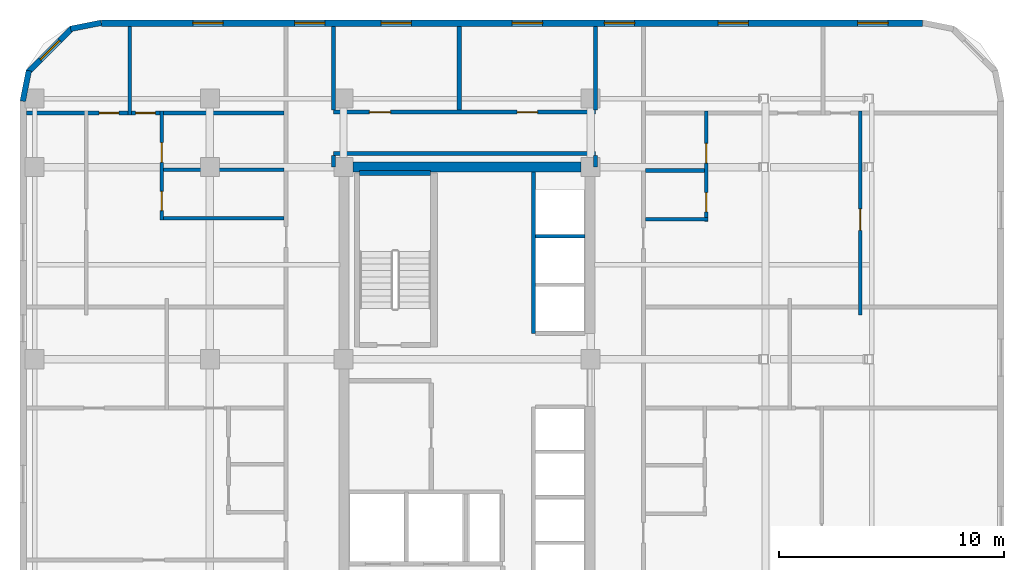
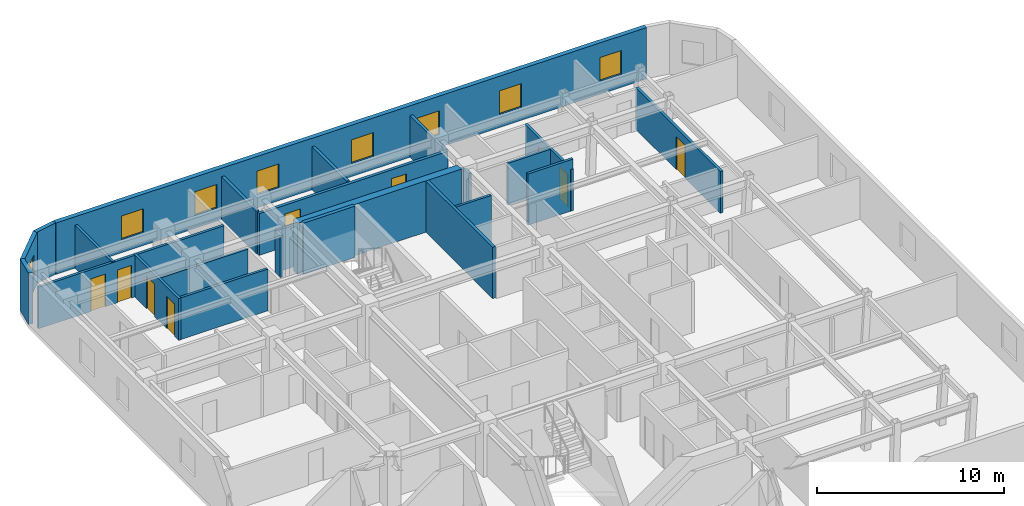
# One storey, part 7 of 9: 24 walls, 9 doors, 8 windows, 17 openings.
"""IFC4 building model written with IfcOpenShell, lengths in metres."""

from ifc_helpers import new_model, si_unit, direction, frame, frame_2d, origin, place, context, subcontext, project, spatial, rectangle, extrude, material, layer, layer_set, type_object, element, fill, save


model = new_model("IFC4")

# Units and contexts
model_context = context("Model", 3, precision=1e-05, world=origin(), true_north=direction((0.0, 1.0)))
body_context = subcontext(model_context, "Body", "Model", "MODEL_VIEW")
ifc_project = project(units=[si_unit("LENGTHUNIT", "METRE"), si_unit("AREAUNIT", "SQUARE_METRE"), si_unit("VOLUMEUNIT", "CUBIC_METRE"), si_unit("PLANEANGLEUNIT", "RADIAN"), si_unit("MASSUNIT", "GRAM", prefix="KILO")], contexts=[model_context])

# Site, building, storey
site_placement = place(None, origin())
site = spatial("IfcSite", under=ifc_project, at=site_placement, CompositionType="ELEMENT")
building_placement = place(site_placement, origin())
building = spatial("IfcBuilding", under=site, at=building_placement, Name="Ochreholt Gables", CompositionType="ELEMENT")
storey_placement = place(building_placement, frame((0.0, 0.0, 84.0)))
storey = spatial("IfcBuildingStorey", under=building, at=storey_placement, Name="L21", CompositionType="ELEMENT", Elevation=84.0)

# Wall
ifc_material_1 = material(Name="Concrete 60 MPa", Category="concrete")
ifc_layer_1 = layer(ifc_material_1, 0.449951171875, Name="Concrete 60 MPa")
ifc_layer_set_1 = layer_set([ifc_layer_1], Name="Concrete 60 MPa")
wall_type_1 = type_object("IfcWallType", Name="WALL-CSW-450", PredefinedType="SHEAR", material=ifc_layer_set_1)
wall_1_placement = place(storey_placement, frame((24.625, 38.75, 0.0), z_axis=(0.0, 0.0, 1.0), x_axis=(1.0, 0.0, 0.0)))
element("IfcWall", 1, at=wall_1_placement, inside=storey, type_object=wall_type_1, Name="L21 Core North Shear Wall", PredefinedType="SHEAR", context=body_context, shape_type="SweptSolid", body=[
    extrude(rectangle(XDim=10.14990234375, YDim=0.449951171875, at=frame_2d((5.074951171875, 0.0))), origin(), (0.0, 0.0, 1.0), 3.360107421875),
])

# Wall, openings, windows
ifc_material_2 = material(Name="Precast concrete 40 MPa", Category="concrete")
ifc_layer_2 = layer(ifc_material_2, 0.280029296875, Name="Precast concrete 40 MPa")
ifc_layer_set_2 = layer_set([ifc_layer_2], Name="Precast concrete 40 MPa")
wall_type_2 = type_object("IfcWallType", Name="WALL-EXT-280", PredefinedType="SOLIDWALL", material=ifc_layer_set_2)
wall_2_placement = place(storey_placement, frame((49.97998046875, 45.159912109375, 0.0), z_axis=(0.0, 0.0, 1.0), x_axis=(-1.0, 0.0, 0.0)))
wall_2 = element("IfcWall", 2, at=wall_2_placement, inside=storey, type_object=wall_type_2, Name="L21 North Exterior Wall", PredefinedType="SOLIDWALL", context=body_context, shape_type="SweptSolid", body=[
    extrude(rectangle(XDim=36.56005859375, YDim=0.280029296875, at=frame_2d((18.280029296875, 0.0))), origin(), (0.0, 0.0, 1.0), 3.360107421875),
])
opening_1_placement = place(wall_2_placement, frame((31.139892578125, 0.0, 0.85009765625)))
opening_1 = element("IfcOpeningElement", 3, at=opening_1_placement, cuts=wall_2, Name="Opening WN-8", PredefinedType="OPENING", context=body_context, shape_type="SweptSolid", body=[
    extrude(rectangle(XDim=1.35009765625, YDim=1.550048828125, at=frame_2d((0.675048828125, 0.77490234375))), frame((0.0, 0.14990234375, 0.0), z_axis=(0.0, -1.0, 0.0), x_axis=(1.0, 0.0, 0.0)), (0.0, 0.0, 1.0), 0.300048828125),
])
opening_2_placement = place(wall_2_placement, frame((26.60498046875, 0.0, 0.85009765625)))
opening_2 = element("IfcOpeningElement", 4, at=opening_2_placement, cuts=wall_2, Name="Opening WN-8", PredefinedType="OPENING", context=body_context, shape_type="SweptSolid", body=[
    extrude(rectangle(XDim=1.35009765625, YDim=1.550048828125, at=frame_2d((0.675048828125, 0.77490234375))), frame((0.0, 0.14990234375, 0.0), z_axis=(0.0, -1.0, 0.0), x_axis=(1.0, 0.0, 0.0)), (0.0, 0.0, 1.0), 0.300048828125),
])
opening_3_placement = place(wall_2_placement, frame((22.754150390625, 0.0, 0.85009765625)))
opening_3 = element("IfcOpeningElement", 5, at=opening_3_placement, cuts=wall_2, Name="Opening WN-8", PredefinedType="OPENING", context=body_context, shape_type="SweptSolid", body=[
    extrude(rectangle(XDim=1.35009765625, YDim=1.550048828125, at=frame_2d((0.675048828125, 0.77490234375))), frame((0.0, 0.14990234375, 0.0), z_axis=(0.0, -1.0, 0.0), x_axis=(1.0, 0.0, 0.0)), (0.0, 0.0, 1.0), 0.300048828125),
])
opening_4_placement = place(wall_2_placement, frame((16.919189453125, 0.0, 0.85009765625)))
opening_4 = element("IfcOpeningElement", 6, at=opening_4_placement, cuts=wall_2, Name="Opening WN-8", PredefinedType="OPENING", context=body_context, shape_type="SweptSolid", body=[
    extrude(rectangle(XDim=1.35009765625, YDim=1.550048828125, at=frame_2d((0.675048828125, 0.77490234375))), frame((0.0, 0.14990234375, 0.0), z_axis=(0.0, -1.0, 0.0), x_axis=(1.0, 0.0, 0.0)), (0.0, 0.0, 1.0), 0.300048828125),
])
opening_5_placement = place(wall_2_placement, frame((12.820068359375, 0.0, 0.85009765625)))
opening_5 = element("IfcOpeningElement", 7, at=opening_5_placement, cuts=wall_2, Name="Opening WN-8", PredefinedType="OPENING", context=body_context, shape_type="SweptSolid", body=[
    extrude(rectangle(XDim=1.35009765625, YDim=1.550048828125, at=frame_2d((0.675048828125, 0.77490234375))), frame((0.0, 0.14990234375, 0.0), z_axis=(0.0, -1.0, 0.0), x_axis=(1.0, 0.0, 0.0)), (0.0, 0.0, 1.0), 0.300048828125),
])
opening_6_placement = place(wall_2_placement, frame((7.757568359375, 0.0, 0.85009765625)))
opening_6 = element("IfcOpeningElement", 8, at=opening_6_placement, cuts=wall_2, Name="Opening WN-8", PredefinedType="OPENING", context=body_context, shape_type="SweptSolid", body=[
    extrude(rectangle(XDim=1.35009765625, YDim=1.550048828125, at=frame_2d((0.675048828125, 0.77490234375))), frame((0.0, 0.14990234375, 0.0), z_axis=(0.0, -1.0, 0.0), x_axis=(1.0, 0.0, 0.0)), (0.0, 0.0, 1.0), 0.300048828125),
])
opening_7_placement = place(wall_2_placement, frame((1.54248046875, 0.0, 0.85009765625)))
opening_7 = element("IfcOpeningElement", 9, at=opening_7_placement, cuts=wall_2, Name="Opening WN-8", PredefinedType="OPENING", context=body_context, shape_type="SweptSolid", body=[
    extrude(rectangle(XDim=1.35009765625, YDim=1.550048828125, at=frame_2d((0.675048828125, 0.77490234375))), frame((0.0, 0.14990234375, 0.0), z_axis=(0.0, -1.0, 0.0), x_axis=(1.0, 0.0, 0.0)), (0.0, 0.0, 1.0), 0.300048828125),
])
ifc_material_3 = material(Name="Triple-Glazed Thermally Broken Aluminium Window", Category="aluminium")
window_type_1 = type_object("IfcWindowType", Name="WIN-RES-1350", PartitioningType="SINGLE_PANEL", PredefinedType="WINDOW", material=ifc_material_3)
window_1_placement = place(opening_1_placement, origin())
window_1 = element("IfcWindow", 10, at=window_1_placement, inside=storey, type_object=window_type_1, Name="L21 Window W-EXT-N-L21-1", OverallHeight=1.550048828125, OverallWidth=1.35009765625, PartitioningType="SINGLE_PANEL", PredefinedType="WINDOW", context=body_context, shape_type="SweptSolid", body=[
    extrude(rectangle(XDim=1.35009765625, YDim=1.550048828125, at=frame_2d((0.675048828125, 0.77490234375))), frame((0.0, 0.030029296875, 0.0), z_axis=(0.0, -1.0, 0.0), x_axis=(1.0, 0.0, 0.0)), (0.0, 0.0, 1.0), 0.06005859375),
])
fill(opening_1, window_1)
window_2_placement = place(opening_2_placement, origin())
window_2 = element("IfcWindow", 11, at=window_2_placement, inside=storey, type_object=window_type_1, Name="L21 Window W-EXT-N-L21-2", OverallHeight=1.550048828125, OverallWidth=1.35009765625, PartitioningType="SINGLE_PANEL", PredefinedType="WINDOW", context=body_context, shape_type="SweptSolid", body=[
    extrude(rectangle(XDim=1.35009765625, YDim=1.550048828125, at=frame_2d((0.675048828125, 0.77490234375))), frame((0.0, 0.030029296875, 0.0), z_axis=(0.0, -1.0, 0.0), x_axis=(1.0, 0.0, 0.0)), (0.0, 0.0, 1.0), 0.06005859375),
])
fill(opening_2, window_2)
window_3_placement = place(opening_3_placement, origin())
window_3 = element("IfcWindow", 12, at=window_3_placement, inside=storey, type_object=window_type_1, Name="L21 Window W-EXT-N-L21-3", OverallHeight=1.550048828125, OverallWidth=1.35009765625, PartitioningType="SINGLE_PANEL", PredefinedType="WINDOW", context=body_context, shape_type="SweptSolid", body=[
    extrude(rectangle(XDim=1.35009765625, YDim=1.550048828125, at=frame_2d((0.675048828125, 0.77490234375))), frame((0.0, 0.030029296875, 0.0), z_axis=(0.0, -1.0, 0.0), x_axis=(1.0, 0.0, 0.0)), (0.0, 0.0, 1.0), 0.06005859375),
])
fill(opening_3, window_3)
window_4_placement = place(opening_4_placement, origin())
window_4 = element("IfcWindow", 13, at=window_4_placement, inside=storey, type_object=window_type_1, Name="L21 Window W-EXT-N-L21-4", OverallHeight=1.550048828125, OverallWidth=1.35009765625, PartitioningType="SINGLE_PANEL", PredefinedType="WINDOW", context=body_context, shape_type="SweptSolid", body=[
    extrude(rectangle(XDim=1.35009765625, YDim=1.550048828125, at=frame_2d((0.675048828125, 0.77490234375))), frame((0.0, 0.030029296875, 0.0), z_axis=(0.0, -1.0, 0.0), x_axis=(1.0, 0.0, 0.0)), (0.0, 0.0, 1.0), 0.06005859375),
])
fill(opening_4, window_4)
window_5_placement = place(opening_5_placement, origin())
window_5 = element("IfcWindow", 14, at=window_5_placement, inside=storey, type_object=window_type_1, Name="L21 Window W-EXT-N-L21-5", OverallHeight=1.550048828125, OverallWidth=1.35009765625, PartitioningType="SINGLE_PANEL", PredefinedType="WINDOW", context=body_context, shape_type="SweptSolid", body=[
    extrude(rectangle(XDim=1.35009765625, YDim=1.550048828125, at=frame_2d((0.675048828125, 0.77490234375))), frame((0.0, 0.030029296875, 0.0), z_axis=(0.0, -1.0, 0.0), x_axis=(1.0, 0.0, 0.0)), (0.0, 0.0, 1.0), 0.06005859375),
])
fill(opening_5, window_5)
window_6_placement = place(opening_6_placement, origin())
window_6 = element("IfcWindow", 15, at=window_6_placement, inside=storey, type_object=window_type_1, Name="L21 Window W-EXT-N-L21-6", OverallHeight=1.550048828125, OverallWidth=1.35009765625, PartitioningType="SINGLE_PANEL", PredefinedType="WINDOW", context=body_context, shape_type="SweptSolid", body=[
    extrude(rectangle(XDim=1.35009765625, YDim=1.550048828125, at=frame_2d((0.675048828125, 0.77490234375))), frame((0.0, 0.030029296875, 0.0), z_axis=(0.0, -1.0, 0.0), x_axis=(1.0, 0.0, 0.0)), (0.0, 0.0, 1.0), 0.06005859375),
])
fill(opening_6, window_6)
window_7_placement = place(opening_7_placement, origin())
window_7 = element("IfcWindow", 16, at=window_7_placement, inside=storey, type_object=window_type_1, Name="L21 Window W-EXT-N-L21-7", OverallHeight=1.550048828125, OverallWidth=1.35009765625, PartitioningType="SINGLE_PANEL", PredefinedType="WINDOW", context=body_context, shape_type="SweptSolid", body=[
    extrude(rectangle(XDim=1.35009765625, YDim=1.550048828125, at=frame_2d((0.675048828125, 0.77490234375))), frame((0.0, 0.030029296875, 0.0), z_axis=(0.0, -1.0, 0.0), x_axis=(1.0, 0.0, 0.0)), (0.0, 0.0, 1.0), 0.06005859375),
])
fill(opening_7, window_7)

# Wall
ifc_layer_3 = layer(ifc_material_2, 0.25, Name="Precast concrete 40 MPa")
ifc_layer_set_3 = layer_set([ifc_layer_3], Name="Precast concrete 40 MPa")
wall_type_3 = type_object("IfcWallType", Name="WALL-EXT-CNR", PredefinedType="SOLIDWALL", material=ifc_layer_set_3)
wall_3_placement = place(storey_placement, frame((13.41650390625, 45.17578125, 0.0), z_axis=(0.0, 0.0, 1.0), x_axis=(-0.980809899341, -0.19496651342, 0.0)))
element("IfcWall", 17, at=wall_3_placement, inside=storey, type_object=wall_type_3, Name="L21 Rounded Corner Wall NW-1", PredefinedType="SOLIDWALL", context=body_context, shape_type="SweptSolid", body=[
    extrude(rectangle(XDim=1.388671875, YDim=0.25, at=frame_2d((0.6943359375, 0.0))), origin(), (0.0, 0.0, 1.0), 3.360107421875),
])

# Wall, opening, window
wall_4_placement = place(storey_placement, frame((12.10498046875, 44.931884765625, 0.0), z_axis=(0.0, 0.0, 1.0), x_axis=(-0.707151344399, -0.707062215165, 0.0)))
wall_4 = element("IfcWall", 18, at=wall_4_placement, inside=storey, type_object=wall_type_3, Name="L21 Rounded Corner Wall NW-2", PredefinedType="SOLIDWALL", context=body_context, shape_type="SweptSolid", body=[
    extrude(rectangle(XDim=2.7392578125, YDim=0.25, at=frame_2d((1.36962890625, 0.0))), origin(), (0.0, 0.0, 1.0), 3.360107421875),
])
opening_8_placement = place(wall_4_placement, frame((0.769775390625, 0.0, 0.85009765625)))
opening_8 = element("IfcOpeningElement", 19, at=opening_8_placement, cuts=wall_4, Name="Opening WN-3", PredefinedType="OPENING", context=body_context, shape_type="SweptSolid", body=[
    extrude(rectangle(XDim=1.199951171875, YDim=1.5, at=frame_2d((0.60009765625, 0.75))), frame((0.0, 0.135009765625, 0.0), z_axis=(0.0, -1.0, 0.0), x_axis=(1.0, 0.0, 0.0)), (0.0, 0.0, 1.0), 0.27001953125),
])
window_type_2 = type_object("IfcWindowType", Name="WIN-RES-1200", PartitioningType="SINGLE_PANEL", PredefinedType="WINDOW", material=ifc_material_3)
window_8_placement = place(opening_8_placement, origin())
window_8 = element("IfcWindow", 20, at=window_8_placement, inside=storey, type_object=window_type_2, Name="L21 Corner Bedroom Window NW", OverallHeight=1.5, OverallWidth=1.199951171875, PartitioningType="SINGLE_PANEL", PredefinedType="WINDOW", context=body_context, shape_type="SweptSolid", body=[
    extrude(rectangle(XDim=1.199951171875, YDim=1.5, at=frame_2d((0.60009765625, 0.75))), frame((0.0, 0.030029296875, 0.0), z_axis=(0.0, -1.0, 0.0), x_axis=(1.0, 0.0, 0.0)), (0.0, 0.0, 1.0), 0.06005859375),
])
fill(opening_8, window_8)

# Wall
wall_5_placement = place(storey_placement, frame((10.195068359375, 43.04541015625, 0.0), z_axis=(0.0, 0.0, 1.0), x_axis=(-0.195000137217, -0.980803214965, 0.0)))
element("IfcWall", 21, at=wall_5_placement, inside=storey, type_object=wall_type_3, Name="L21 Rounded Corner Wall NW-3", PredefinedType="SOLIDWALL", context=body_context, shape_type="SweptSolid", body=[
    extrude(rectangle(XDim=1.388427734375, YDim=0.25, at=frame_2d((0.6943359375, 0.0))), origin(), (0.0, 0.0, 1.0), 3.360107421875),
])

# Wall, openings, doors
ifc_material_4 = material(Name="Fire-Rated Gypsum Acoustic Partition", Category="gypsum")
ifc_layer_4 = layer(ifc_material_4, 0.179931640625, Name="Fire-Rated Gypsum Acoustic Partition")
ifc_layer_set_4 = layer_set([ifc_layer_4], Name="Fire-Rated Gypsum Acoustic Partition")
wall_type_4 = type_object("IfcWallType", Name="WALL-INT-CR180", PredefinedType="STANDARD", material=ifc_layer_set_4)
wall_6_placement = place(storey_placement, frame((23.75, 41.199951171875, 0.0), z_axis=(0.0, 0.0, 1.0), x_axis=(1.0, 0.0, 0.0)))
wall_6 = element("IfcWall", 22, at=wall_6_placement, inside=storey, type_object=wall_type_4, Name="L21 Interior Wall WI-C1N-L21", PredefinedType="STANDARD", context=body_context, shape_type="SweptSolid", body=[
    extrude(rectangle(XDim=11.669921875, YDim=0.179931640625, at=frame_2d((5.8349609375, 0.0))), origin(), (0.0, 0.0, 1.0), 2.73095703125),
])
opening_9_placement = place(wall_6_placement, frame((1.60009765625, 0.0, 0.0)))
opening_9 = element("IfcOpeningElement", 23, at=opening_9_placement, cuts=wall_6, Name="Opening D-GN1", PredefinedType="OPENING", context=body_context, shape_type="SweptSolid", body=[
    extrude(rectangle(XDim=0.949951171875, YDim=2.14990234375, at=frame_2d((0.47509765625, 1.074951171875))), frame((0.0, 0.099853515625, 0.0), z_axis=(0.0, -1.0, 0.0), x_axis=(1.0, 0.0, 0.0)), (0.0, 0.0, 1.0), 0.199951171875),
])
opening_10_placement = place(wall_6_placement, frame((8.17578125, 0.0, 0.0)))
opening_10 = element("IfcOpeningElement", 24, at=opening_10_placement, cuts=wall_6, Name="Opening D-UN1", PredefinedType="OPENING", context=body_context, shape_type="SweptSolid", body=[
    extrude(rectangle(XDim=0.919921875, YDim=2.14990234375, at=frame_2d((0.4599609375, 1.074951171875))), frame((0.0, 0.099853515625, 0.0), z_axis=(0.0, -1.0, 0.0), x_axis=(1.0, 0.0, 0.0)), (0.0, 0.0, 1.0), 0.199951171875),
])
ifc_material_5 = material(Name="Engineered Oak Timber", Category="wood")
door_type_1 = type_object("IfcDoorType", Name="DR-INT-GEN950", OperationType="NOTDEFINED", PredefinedType="DOOR", material=ifc_material_5)
door_1_placement = place(opening_9_placement, origin())
door_1 = element("IfcDoor", 25, at=door_1_placement, inside=storey, type_object=door_type_1, Name="L21 Door D-C1NL-L21", OperationType="SINGLE_SWING_RIGHT", OverallHeight=2.14990234375, OverallWidth=0.949951171875, PredefinedType="DOOR", context=body_context, shape_type="SweptSolid", body=[
    extrude(rectangle(XDim=0.949951171875, YDim=2.14990234375, at=frame_2d((0.47509765625, 1.074951171875))), frame((0.0, 0.02490234375, 0.0), z_axis=(0.0, -1.0, 0.0), x_axis=(1.0, 0.0, 0.0)), (0.0, 0.0, 1.0), 0.050048828125),
])
fill(opening_9, door_1)
door_type_2 = type_object("IfcDoorType", Name="DR-INT-UNT920", OperationType="NOTDEFINED", PredefinedType="DOOR", material=ifc_material_5)
door_2_placement = place(opening_10_placement, origin())
door_2 = element("IfcDoor", 26, at=door_2_placement, inside=storey, type_object=door_type_2, Name="L21 Door D-U-L21N1-ENT", OperationType="SINGLE_SWING_LEFT", OverallHeight=2.14990234375, OverallWidth=0.919921875, PredefinedType="DOOR", context=body_context, shape_type="SweptSolid", body=[
    extrude(rectangle(XDim=0.919921875, YDim=2.14990234375, at=frame_2d((0.4599609375, 1.074951171875))), frame((0.0, 0.02490234375, 0.0), z_axis=(0.0, -1.0, 0.0), x_axis=(1.0, 0.0, 0.0)), (0.0, 0.0, 1.0), 0.050048828125),
])
fill(opening_10, door_2)

# Walls
wall_7_placement = place(storey_placement, frame((23.75, 39.35009765625, 0.0), z_axis=(0.0, 0.0, 1.0), x_axis=(1.0, 0.0, 0.0)))
element("IfcWall", 27, at=wall_7_placement, inside=storey, type_object=wall_type_4, Name="L21 Interior Wall WI-C1N2-L21", PredefinedType="STANDARD", context=body_context, shape_type="SweptSolid", body=[
    extrude(rectangle(XDim=11.669921875, YDim=0.179931640625, at=frame_2d((5.8349609375, 0.0))), origin(), (0.0, 0.0, 1.0), 2.73095703125),
])
for number, where, z_axis, x_axis, name in (
    (28, (35.419921875, 38.75, 0.0), (0.0, 0.0, 1.0), (0.0, 1.0, 0.0), "L21 Interior Wall WI-C1ENW2-L21"),
    (29, (23.75, 38.75, 0.0), (0.0, 0.0, 1.0), (0.0, 1.0, 0.0), "L21 Interior Wall WI-C1NWA2-L21"),
):
    element("IfcWall", number, at=place(storey_placement, frame(where, z_axis=z_axis, x_axis=x_axis)), inside=storey, type_object=wall_type_4, Name=name, PredefinedType="STANDARD", context=body_context, shape_type="SweptSolid", body=[
        extrude(rectangle(XDim=0.510009765625, YDim=0.179931640625, at=frame_2d((0.2548828125, 0.0))), origin(), (0.0, 0.0, 1.0), 2.73095703125),
    ])
ifc_material_6 = material(Name="Double-Stud Acoustic Demising Wall", Category="gypsum")
ifc_layer_5 = layer(ifc_material_6, 0.179931640625, Name="Double-Stud Acoustic Demising Wall")
ifc_layer_set_5 = layer_set([ifc_layer_5], Name="Double-Stud Acoustic Demising Wall")
wall_type_5 = type_object("IfcWallType", Name="WALL-INT-DM180", PredefinedType="PARTITIONING", material=ifc_layer_set_5)
wall_8_placement = place(storey_placement, frame((35.419921875, 41.2900390625, 0.0), z_axis=(0.0, 0.0, 1.0), x_axis=(0.0, 1.0, 0.0)))
element("IfcWall", 30, at=wall_8_placement, inside=storey, type_object=wall_type_5, Name="L21 Interior Wall WI-C1ENW-L21", PredefinedType="PARTITIONING", context=body_context, shape_type="SweptSolid", body=[
    extrude(rectangle(XDim=3.72998046875, YDim=0.179931640625, at=frame_2d((1.864990234375, 0.0))), origin(), (0.0, 0.0, 1.0), 2.73095703125),
])
for number, where, z_axis, x_axis, name in (
    (31, (23.75, 41.2900390625, 0.0), (0.0, 0.0, 1.0), (0.0, 1.0, 0.0), "L21 Interior Wall WI-C1NWA-L21"),
    (32, (29.3515625, 41.2900390625, 0.0), (0.0, 0.0, 1.0), (0.0, 1.0, 0.0), "L21 Interior Wall WI-UDN1-L21"),
):
    element("IfcWall", number, at=place(storey_placement, frame(where, z_axis=z_axis, x_axis=x_axis)), inside=storey, type_object=wall_type_5, Name=name, PredefinedType="PARTITIONING", context=body_context, shape_type="SweptSolid", body=[
        extrude(rectangle(XDim=3.72998046875, YDim=0.179931640625, at=frame_2d((1.864990234375, 0.0))), origin(), (0.0, 0.0, 1.0), 2.80908203125),
    ])
ifc_material_7 = material(Name="Moisture-Resistant Plumbing Chase Wall", Category="gypsum")
ifc_layer_6 = layer(ifc_material_7, 0.159912109375, Name="Moisture-Resistant Plumbing Chase Wall")
ifc_layer_set_6 = layer_set([ifc_layer_6], Name="Moisture-Resistant Plumbing Chase Wall")
wall_type_6 = type_object("IfcWallType", Name="WALL-INT-PL160", PredefinedType="PLUMBINGWALL", material=ifc_layer_set_6)
wall_9_placement = place(storey_placement, frame((37.639892578125, 36.424560546875, 0.0), z_axis=(0.0, 0.0, 1.0), x_axis=(1.0, 0.0, 0.0)))
element("IfcWall", 33, at=wall_9_placement, inside=storey, type_object=wall_type_6, Name="L21 Interior Wall WU-L21E3-FYS", PredefinedType="PLUMBINGWALL", context=body_context, shape_type="SweptSolid", body=[
    extrude(rectangle(XDim=2.7880859375, YDim=0.159912109375, at=frame_2d((1.39404296875, 0.0))), origin(), (0.0, 0.0, 1.0), 3.360107421875),
])

# Wall, openings, doors
wall_10_placement = place(storey_placement, frame((40.347900390625, 36.33447265625, 0.0), z_axis=(0.0, 0.0, 1.0), x_axis=(0.0, 1.0, 0.0)))
wall_10 = element("IfcWall", 34, at=wall_10_placement, inside=storey, type_object=wall_type_6, Name="L21 Interior Wall WU-L21E3-WX", PredefinedType="PLUMBINGWALL", context=body_context, shape_type="SweptSolid", body=[
    extrude(rectangle(XDim=4.91552734375, YDim=0.159912109375, at=frame_2d((2.457763671875, 0.0))), origin(), (0.0, 0.0, 1.0), 2.73095703125),
])
opening_11_placement = place(wall_10_placement, frame((0.419921875, 0.0, 0.0)))
opening_11 = element("IfcOpeningElement", 35, at=opening_11_placement, cuts=wall_10, Name="Opening D-BT1", PredefinedType="OPENING", context=body_context, shape_type="SweptSolid", body=[
    extrude(rectangle(XDim=0.860107421875, YDim=2.1201171875, at=frame_2d((0.43017578125, 1.06005859375))), frame((0.0, 0.08984375, 0.0), z_axis=(0.0, -1.0, 0.0), x_axis=(1.0, 0.0, 0.0)), (0.0, 0.0, 1.0), 0.179931640625),
])
opening_12_placement = place(wall_10_placement, frame((2.598388671875, 0.0, 0.0)))
opening_12 = element("IfcOpeningElement", 36, at=opening_12_placement, cuts=wall_10, Name="Opening D-GN2", PredefinedType="OPENING", context=body_context, shape_type="SweptSolid", body=[
    extrude(rectangle(XDim=0.8798828125, YDim=2.1201171875, at=frame_2d((0.43994140625, 1.06005859375))), frame((0.0, 0.08984375, 0.0), z_axis=(0.0, -1.0, 0.0), x_axis=(1.0, 0.0, 0.0)), (0.0, 0.0, 1.0), 0.179931640625),
])
door_type_3 = type_object("IfcDoorType", Name="DR-INT-BTH860", OperationType="NOTDEFINED", PredefinedType="DOOR", material=ifc_material_5)
door_3_placement = place(opening_11_placement, origin())
door_3 = element("IfcDoor", 37, at=door_3_placement, inside=storey, type_object=door_type_3, Name="L21 Door D-U-L21E3-BTH", OperationType="SINGLE_SWING_LEFT", OverallHeight=2.1201171875, OverallWidth=0.860107421875, PredefinedType="DOOR", context=body_context, shape_type="SweptSolid", body=[
    extrude(rectangle(XDim=0.860107421875, YDim=2.1201171875, at=frame_2d((0.43017578125, 1.06005859375))), frame((0.0, 0.02490234375, 0.0), z_axis=(0.0, -1.0, 0.0), x_axis=(1.0, 0.0, 0.0)), (0.0, 0.0, 1.0), 0.050048828125),
])
fill(opening_11, door_3)
door_type_4 = type_object("IfcDoorType", Name="DR-INT-GEN880", OperationType="NOTDEFINED", PredefinedType="DOOR", material=ifc_material_5)
door_4_placement = place(opening_12_placement, origin())
door_4 = element("IfcDoor", 38, at=door_4_placement, inside=storey, type_object=door_type_4, Name="L21 Door D-U-L21E3-KIT", OperationType="SINGLE_SWING_RIGHT", OverallHeight=2.1201171875, OverallWidth=0.8798828125, PredefinedType="DOOR", context=body_context, shape_type="SweptSolid", body=[
    extrude(rectangle(XDim=0.8798828125, YDim=2.1201171875, at=frame_2d((0.43994140625, 1.06005859375))), frame((0.0, 0.02490234375, 0.0), z_axis=(0.0, -1.0, 0.0), x_axis=(1.0, 0.0, 0.0)), (0.0, 0.0, 1.0), 0.050048828125),
])
fill(opening_12, door_4)

# Walls
wall_11_placement = place(storey_placement, frame((37.639892578125, 38.602783203125, 0.0), z_axis=(0.0, 0.0, 1.0), x_axis=(1.0, 0.0, 0.0)))
element("IfcWall", 39, at=wall_11_placement, inside=storey, type_object=wall_type_6, Name="L21 Interior Wall WU-L21E3-WK", PredefinedType="PLUMBINGWALL", context=body_context, shape_type="SweptSolid", body=[
    extrude(rectangle(XDim=2.628173828125, YDim=0.159912109375, at=frame_2d((1.31396484375, 0.0))), origin(), (0.0, 0.0, 1.0), 2.73095703125),
])
wall_12_placement = place(storey_placement, frame((16.030029296875, 36.4814453125, 0.0), z_axis=(0.0, 0.0, 1.0), x_axis=(1.0, 0.0, 0.0)))
element("IfcWall", 40, at=wall_12_placement, inside=storey, type_object=wall_type_6, Name="L21 Interior Wall WU-L21W3-FYS", PredefinedType="PLUMBINGWALL", context=body_context, shape_type="SweptSolid", body=[
    extrude(rectangle(XDim=5.530029296875, YDim=0.159912109375, at=frame_2d((2.76513671875, 0.0))), origin(), (0.0, 0.0, 1.0), 2.73095703125),
])

# Wall, openings, doors
wall_13_placement = place(storey_placement, frame((16.110107421875, 36.3916015625, 0.0), z_axis=(0.0, 0.0, 1.0), x_axis=(0.0, 1.0, 0.0)))
wall_13 = element("IfcWall", 41, at=wall_13_placement, inside=storey, type_object=wall_type_6, Name="L21 Interior Wall WU-L21W3-WX", PredefinedType="PLUMBINGWALL", context=body_context, shape_type="SweptSolid", body=[
    extrude(rectangle(XDim=4.8583984375, YDim=0.159912109375, at=frame_2d((2.42919921875, 0.0))), origin(), (0.0, 0.0, 1.0), 2.73095703125),
])
opening_13_placement = place(wall_13_placement, frame((0.419921875, 0.0, 0.0)))
opening_13 = element("IfcOpeningElement", 42, at=opening_13_placement, cuts=wall_13, Name="Opening D-BT1", PredefinedType="OPENING", context=body_context, shape_type="SweptSolid", body=[
    extrude(rectangle(XDim=0.860107421875, YDim=2.1201171875, at=frame_2d((0.43017578125, 1.06005859375))), frame((0.0, 0.08984375, 0.0), z_axis=(0.0, -1.0, 0.0), x_axis=(1.0, 0.0, 0.0)), (0.0, 0.0, 1.0), 0.179931640625),
])
opening_14_placement = place(wall_13_placement, frame((2.572021484375, 0.0, 0.0)))
opening_14 = element("IfcOpeningElement", 43, at=opening_14_placement, cuts=wall_13, Name="Opening D-GN2", PredefinedType="OPENING", context=body_context, shape_type="SweptSolid", body=[
    extrude(rectangle(XDim=0.8798828125, YDim=2.1201171875, at=frame_2d((0.43994140625, 1.06005859375))), frame((0.0, 0.08984375, 0.0), z_axis=(0.0, -1.0, 0.0), x_axis=(1.0, 0.0, 0.0)), (0.0, 0.0, 1.0), 0.179931640625),
])
door_5_placement = place(opening_13_placement, origin())
door_5 = element("IfcDoor", 44, at=door_5_placement, inside=storey, type_object=door_type_3, Name="L21 Door D-U-L21W3-BTH", OperationType="SINGLE_SWING_RIGHT", OverallHeight=2.1201171875, OverallWidth=0.860107421875, PredefinedType="DOOR", context=body_context, shape_type="SweptSolid", body=[
    extrude(rectangle(XDim=0.860107421875, YDim=2.1201171875, at=frame_2d((0.43017578125, 1.06005859375))), frame((0.0, 0.02490234375, 0.0), z_axis=(0.0, -1.0, 0.0), x_axis=(1.0, 0.0, 0.0)), (0.0, 0.0, 1.0), 0.050048828125),
])
fill(opening_13, door_5)
door_6_placement = place(opening_14_placement, origin())
door_6 = element("IfcDoor", 45, at=door_6_placement, inside=storey, type_object=door_type_4, Name="L21 Door D-U-L21W3-KIT", OperationType="SINGLE_SWING_LEFT", OverallHeight=2.1201171875, OverallWidth=0.8798828125, PredefinedType="DOOR", context=body_context, shape_type="SweptSolid", body=[
    extrude(rectangle(XDim=0.8798828125, YDim=2.1201171875, at=frame_2d((0.43994140625, 1.06005859375))), frame((0.0, 0.02490234375, 0.0), z_axis=(0.0, -1.0, 0.0), x_axis=(1.0, 0.0, 0.0)), (0.0, 0.0, 1.0), 0.050048828125),
])
fill(opening_14, door_6)

# Wall
wall_14_placement = place(storey_placement, frame((16.18994140625, 38.633544921875, 0.0), z_axis=(0.0, 0.0, 1.0), x_axis=(1.0, 0.0, 0.0)))
element("IfcWall", 46, at=wall_14_placement, inside=storey, type_object=wall_type_6, Name="L21 Interior Wall WU-L21W3-WK", PredefinedType="PLUMBINGWALL", context=body_context, shape_type="SweptSolid", body=[
    extrude(rectangle(XDim=5.3701171875, YDim=0.159912109375, at=frame_2d((2.68505859375, 0.0))), origin(), (0.0, 0.0, 1.0), 2.73095703125),
])

# Wall, opening, door
ifc_material_8 = material(Name="Gypsum Acoustic Stud Partition", Category="gypsum")
ifc_layer_7 = layer(ifc_material_8, 0.159912109375, Name="Gypsum Acoustic Stud Partition")
ifc_layer_set_7 = layer_set([ifc_layer_7], Name="Gypsum Acoustic Stud Partition")
wall_type_7 = type_object("IfcWallType", Name="WALL-INT-PT160", PredefinedType="PARTITIONING", material=ifc_layer_set_7)
wall_15_placement = place(storey_placement, frame((47.193603515625, 32.159912109375, 0.0), z_axis=(0.0, 0.0, 1.0), x_axis=(0.0, 1.0, 0.0)))
wall_15 = element("IfcWall", 47, at=wall_15_placement, inside=storey, type_object=wall_type_7, Name="L21 Interior Wall WU-L21E3-DNV", PredefinedType="PARTITIONING", context=body_context, shape_type="SweptSolid", body=[
    extrude(rectangle(XDim=9.080078125, YDim=0.159912109375, at=frame_2d((4.5400390625, 0.0))), origin(), (0.0, 0.0, 1.0), 2.73095703125),
])
opening_15_placement = place(wall_15_placement, frame((3.780029296875, 0.0, 0.0)))
opening_15 = element("IfcOpeningElement", 48, at=opening_15_placement, cuts=wall_15, Name="Opening D-GN1", PredefinedType="OPENING", context=body_context, shape_type="SweptSolid", body=[
    extrude(rectangle(XDim=0.949951171875, YDim=2.14990234375, at=frame_2d((0.47509765625, 1.074951171875))), frame((0.0, 0.08984375, 0.0), z_axis=(0.0, -1.0, 0.0), x_axis=(1.0, 0.0, 0.0)), (0.0, 0.0, 1.0), 0.179931640625),
])
door_7_placement = place(opening_15_placement, origin())
door_7 = element("IfcDoor", 49, at=door_7_placement, inside=storey, type_object=door_type_1, Name="L21 Door D-U-L21E3-DIN", OperationType="SINGLE_SWING_LEFT", OverallHeight=2.14990234375, OverallWidth=0.949951171875, PredefinedType="DOOR", context=body_context, shape_type="SweptSolid", body=[
    extrude(rectangle(XDim=0.949951171875, YDim=2.14990234375, at=frame_2d((0.47509765625, 1.074951171875))), frame((0.0, 0.02490234375, 0.0), z_axis=(0.0, -1.0, 0.0), x_axis=(1.0, 0.0, 0.0)), (0.0, 0.0, 1.0), 0.050048828125),
])
fill(opening_15, door_7)

# Wall, openings, doors
wall_16_placement = place(storey_placement, frame((10.080078125, 41.159912109375, 0.0), z_axis=(0.0, 0.0, 1.0), x_axis=(1.0, 0.0, 0.0)))
wall_16 = element("IfcWall", 50, at=wall_16_placement, inside=storey, type_object=wall_type_7, Name="L21 Interior Wall WU-L21W3-MN", PredefinedType="PARTITIONING", context=body_context, shape_type="SweptSolid", body=[
    extrude(rectangle(XDim=11.47998046875, YDim=0.159912109375, at=frame_2d((5.739990234375, 0.0))), origin(), (0.0, 0.0, 1.0), 2.73095703125),
])
opening_16_placement = place(wall_16_placement, frame((3.239990234375, 0.0, 0.0)))
opening_16 = element("IfcOpeningElement", 51, at=opening_16_placement, cuts=wall_16, Name="Opening D-BD2", PredefinedType="OPENING", context=body_context, shape_type="SweptSolid", body=[
    extrude(rectangle(XDim=0.8798828125, YDim=2.139892578125, at=frame_2d((0.43994140625, 1.06982421875))), frame((0.0, 0.08984375, 0.0), z_axis=(0.0, -1.0, 0.0), x_axis=(1.0, 0.0, 0.0)), (0.0, 0.0, 1.0), 0.179931640625),
])
opening_17_placement = place(wall_16_placement, frame((4.8701171875, 0.0, 0.0)))
opening_17 = element("IfcOpeningElement", 52, at=opening_17_placement, cuts=wall_16, Name="Opening D-BD2", PredefinedType="OPENING", context=body_context, shape_type="SweptSolid", body=[
    extrude(rectangle(XDim=0.8798828125, YDim=2.139892578125, at=frame_2d((0.43994140625, 1.06982421875))), frame((0.0, 0.08984375, 0.0), z_axis=(0.0, -1.0, 0.0), x_axis=(1.0, 0.0, 0.0)), (0.0, 0.0, 1.0), 0.179931640625),
])
door_type_5 = type_object("IfcDoorType", Name="DR-INT-BED880", OperationType="NOTDEFINED", PredefinedType="DOOR", material=ifc_material_5)
door_8_placement = place(opening_16_placement, origin())
door_8 = element("IfcDoor", 53, at=door_8_placement, inside=storey, type_object=door_type_5, Name="L21 Door D-U-L21W3-BD1", OperationType="SINGLE_SWING_LEFT", OverallHeight=2.139892578125, OverallWidth=0.8798828125, PredefinedType="DOOR", context=body_context, shape_type="SweptSolid", body=[
    extrude(rectangle(XDim=0.8798828125, YDim=2.139892578125, at=frame_2d((0.43994140625, 1.06982421875))), frame((0.0, 0.02490234375, 0.0), z_axis=(0.0, -1.0, 0.0), x_axis=(1.0, 0.0, 0.0)), (0.0, 0.0, 1.0), 0.050048828125),
])
fill(opening_16, door_8)
door_9_placement = place(opening_17_placement, origin())
door_9 = element("IfcDoor", 54, at=door_9_placement, inside=storey, type_object=door_type_5, Name="L21 Door D-U-L21W3-BD2", OperationType="SINGLE_SWING_RIGHT", OverallHeight=2.139892578125, OverallWidth=0.8798828125, PredefinedType="DOOR", context=body_context, shape_type="SweptSolid", body=[
    extrude(rectangle(XDim=0.8798828125, YDim=2.139892578125, at=frame_2d((0.43994140625, 1.06982421875))), frame((0.0, 0.02490234375, 0.0), z_axis=(0.0, -1.0, 0.0), x_axis=(1.0, 0.0, 0.0)), (0.0, 0.0, 1.0), 0.050048828125),
])
fill(opening_17, door_9)

# Walls
wall_17_placement = place(storey_placement, frame((14.679931640625, 41.080078125, 0.0), z_axis=(0.0, 0.0, 1.0), x_axis=(0.0, 1.0, 0.0)))
element("IfcWall", 55, at=wall_17_placement, inside=storey, type_object=wall_type_7, Name="L21 Interior Wall WU-L21W3-BSD", PredefinedType="PARTITIONING", context=body_context, shape_type="SweptSolid", body=[
    extrude(rectangle(XDim=3.93994140625, YDim=0.159912109375, at=frame_2d((1.969970703125, 0.0))), origin(), (0.0, 0.0, 1.0), 2.80908203125),
])
ifc_material_9 = material(Name="Gypsum Shaftliner and Steel Stud", Category="steel")
ifc_layer_8 = layer(ifc_material_9, 0.14990234375, Name="Gypsum Shaftliner and Steel Stud")
ifc_layer_set_8 = layer_set([ifc_layer_8], Name="Gypsum Shaftliner and Steel Stud")
wall_type_8 = type_object("IfcWallType", Name="WALL-INT-SH150", PredefinedType="STANDARD", material=ifc_layer_set_8)
wall_18_placement = place(storey_placement, frame((32.739990234375, 35.669921875, 0.0), z_axis=(0.0, 0.0, 1.0), x_axis=(1.0, 0.0, 0.0)))
element("IfcWall", 56, at=wall_18_placement, inside=storey, type_object=wall_type_8, Name="L21 Interior Wall WI-LFM-D2-L21", PredefinedType="STANDARD", context=body_context, shape_type="SweptSolid", body=[
    extrude(rectangle(XDim=2.2099609375, YDim=0.14990234375, at=frame_2d((1.10498046875, 0.0))), origin(), (0.0, 0.0, 1.0), 3.360107421875),
])
ifc_layer_9 = layer(ifc_material_9, 0.179931640625, Name="Gypsum Shaftliner and Steel Stud")
ifc_layer_set_9 = layer_set([ifc_layer_9], Name="Gypsum Shaftliner and Steel Stud")
wall_type_9 = type_object("IfcWallType", Name="WALL-INT-SH180", PredefinedType="STANDARD", material=ifc_layer_set_9)
wall_19_placement = place(storey_placement, frame((32.64990234375, 31.35009765625, 0.0), z_axis=(0.0, 0.0, 1.0), x_axis=(0.0, 1.0, 0.0)))
element("IfcWall", 57, at=wall_19_placement, inside=storey, type_object=wall_type_9, Name="L21 Interior Wall WI-LFM-FR-L21", PredefinedType="STANDARD", context=body_context, shape_type="SweptSolid", body=[
    extrude(rectangle(XDim=7.1748046875, YDim=0.179931640625, at=frame_2d((3.58740234375, 0.0))), origin(), (0.0, 0.0, 1.0), 3.360107421875),
])
ifc_material_10 = material(Name="Concrete 50 MPa", Category="concrete")
ifc_layer_10 = layer(ifc_material_10, 0.219970703125, Name="Concrete 50 MPa")
ifc_layer_set_10 = layer_set([ifc_layer_10], Name="Concrete 50 MPa")
wall_type_10 = type_object("IfcWallType", Name="WALL-STW-220", PredefinedType="SHEAR", material=ifc_layer_set_10)
wall_20_placement = place(storey_placement, frame((24.919921875, 38.489990234375, 0.0), z_axis=(0.0, 0.0, 1.0), x_axis=(1.0, 0.0, 0.0)))
element("IfcWall", 58, at=wall_20_placement, inside=storey, type_object=wall_type_10, Name="L21 Exit Stair 2 North Wall", PredefinedType="SHEAR", context=body_context, shape_type="SweptSolid", body=[
    extrude(rectangle(XDim=3.16015625, YDim=0.219970703125, at=frame_2d((1.580078125, 0.0))), origin(), (0.0, 0.0, 1.0), 3.360107421875),
])

save(model, "model.ifc")
